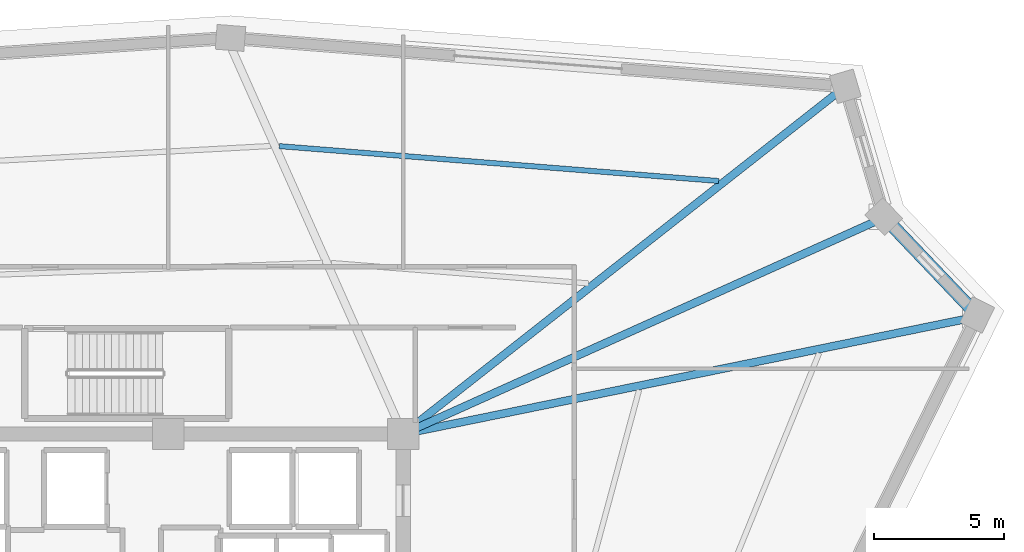
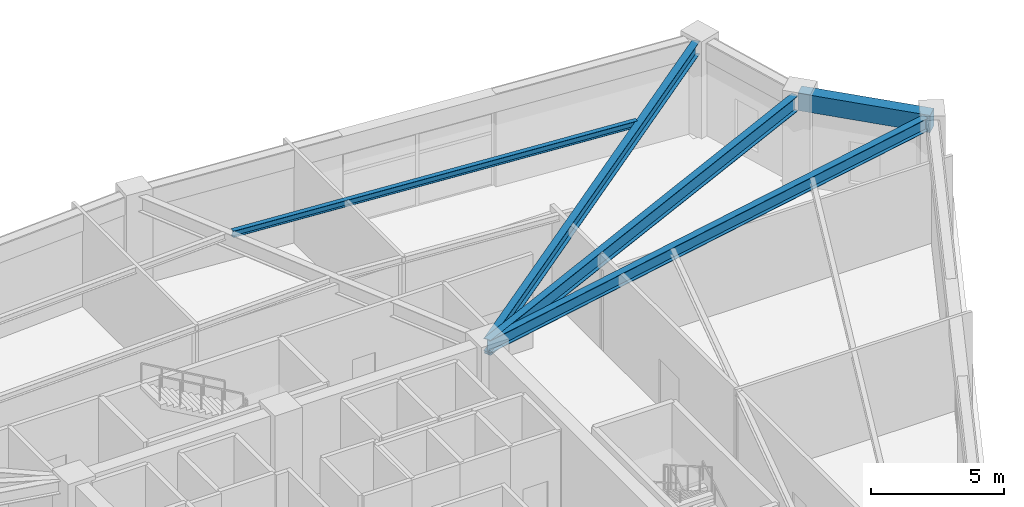
# One storey, part 23 of 35: 5 beams.
"""IFC4 building model written with IfcOpenShell, lengths in metres."""

from ifc_helpers import new_model, si_unit, direction, frame, origin, origin_2d, place, context, subcontext, project, spatial, rectangle, i_section, extrude, source, transform, mapped, material, material_profile, profile_set, type_object, element, save


model = new_model("IFC4")

# Units and contexts
model_context = context("Model", 3, precision=1e-05, world=origin(), true_north=direction((0.0, 1.0)))
body_context = subcontext(model_context, "Body", "Model", "MODEL_VIEW")
ifc_project = project(units=[si_unit("LENGTHUNIT", "METRE"), si_unit("AREAUNIT", "SQUARE_METRE"), si_unit("VOLUMEUNIT", "CUBIC_METRE"), si_unit("PLANEANGLEUNIT", "RADIAN"), si_unit("MASSUNIT", "GRAM", prefix="KILO")], contexts=[model_context])

# Site, building, storey
site_placement = place(None, origin())
site = spatial("IfcSite", under=ifc_project, at=site_placement, CompositionType="ELEMENT")
building_placement = place(site_placement, origin())
building = spatial("IfcBuilding", under=site, at=building_placement, Name="Liaohun Quay Tower", CompositionType="ELEMENT")
storey_placement = place(building_placement, frame((0.0, 0.0, 282.0)))
storey = spatial("IfcBuildingStorey", under=building, at=storey_placement, Name="L73", CompositionType="ELEMENT", Elevation=282.0)

# Beams
ifc_material_1 = material(Name="Precast concrete C50", Category="concrete")
ifc_material_profile_1 = material_profile(ifc_material_1, rectangle(XDim=0.5, YDim=0.800048828125, at=origin_2d()), Name="RC500x800")
ifc_profile_set_1 = profile_set([ifc_material_profile_1], Name="Precast concrete C50")
beam_type_1 = type_object("IfcBeamType", Name="BM-SPD-Z4", PredefinedType="SPANDREL", material=ifc_profile_set_1)
shared_shape_1 = source(origin(), body_context, "Body", "SweptSolid", [
    extrude(rectangle(XDim=0.5, YDim=0.800048828125, at=origin_2d()), origin(), (0.0, 0.0, 1.0), 5.197998046875),
])
beam_1_placement = place(storey_placement, frame((87.4150390625, 69.827880859375, 3.919921875), z_axis=(0.689298558438, -0.724477396014, 0.0), x_axis=(0.724477396014, 0.689298558438, 0.0)))
element("IfcBeam", 1, at=beam_1_placement, inside=storey, type_object=beam_type_1, Name="L73 Precast Spandrel Beam PC08-PC09", PredefinedType="SPANDREL", context=body_context, shape_type="MappedRepresentation", body=[
    mapped(shared_shape_1, transform((0.0, 0.0, 0.0), x_axis=(1.0, 0.0, 0.0), y_axis=(0.0, 1.0, 0.0), z_axis=(0.0, 0.0, 1.0), scale=1.0)),
])
ifc_material_2 = material(Name="Steel Q355D", Category="steel")
ifc_material_profile_2 = material_profile(ifc_material_2, i_section(OverallWidth=0.300048828125, OverallDepth=0.699951171875, WebThickness=0.012939453125, FlangeThickness=0.02392578125, at=origin_2d()), Name="HN700x300x13x24")
ifc_profile_set_2 = profile_set([ifc_material_profile_2], Name="Steel Q355D")
beam_type_2 = type_object("IfcBeamType", Name="BM-RAD-U1", PredefinedType="BEAM", material=ifc_profile_set_2)
shared_shape_2 = source(origin(), body_context, "Body", "SweptSolid", [
    extrude(i_section(OverallWidth=0.300048828125, OverallDepth=0.699951171875, WebThickness=0.012939453125, FlangeThickness=0.02392578125, at=origin_2d()), origin(), (0.0, 0.0, 1.0), 19.843994140625),
])
beam_2_placement = place(storey_placement, frame((69.0, 61.5, 3.969970703125), z_axis=(0.911905160232, 0.410400997491, 0.0), x_axis=(-0.410400997491, 0.911905160232, 0.0)))
element("IfcBeam", 2, at=beam_2_placement, inside=storey, type_object=beam_type_2, Name="L73 Radial Primary Girder CC4-PC08", PredefinedType="BEAM", context=body_context, shape_type="MappedRepresentation", body=[
    mapped(shared_shape_2, transform((0.0, 0.0, 0.0), x_axis=(1.0, 0.0, 0.0), y_axis=(0.0, 1.0, 0.0), z_axis=(0.0, 0.0, 1.0), scale=1.0)),
])
ifc_material_profile_3 = material_profile(ifc_material_2, i_section(OverallWidth=0.300048828125, OverallDepth=0.587890625, WebThickness=0.011962890625, FlangeThickness=0.02001953125, at=origin_2d()), Name="HM588x300x12x20")
ifc_profile_set_3 = profile_set([ifc_material_profile_3], Name="Steel Q355D")
beam_type_3 = type_object("IfcBeamType", Name="BM-RAD-U2", PredefinedType="BEAM", material=ifc_profile_set_3)
shared_shape_3 = source(origin(), body_context, "Body", "SweptSolid", [
    extrude(i_section(OverallWidth=0.300048828125, OverallDepth=0.587890625, WebThickness=0.011962890625, FlangeThickness=0.02001953125, at=origin_2d()), origin(), (0.0, 0.0, 1.0), 21.1650390625),
])
beam_3_placement = place(storey_placement, frame((69.0, 61.5, 4.02587890625), z_axis=(0.786255892403, 0.617901020926, 0.0), x_axis=(-0.617901020926, 0.786255892403, 0.0)))
element("IfcBeam", 3, at=beam_3_placement, inside=storey, type_object=beam_type_3, Name="L73 Radial Primary Girder CC4-PC07", PredefinedType="BEAM", context=body_context, shape_type="MappedRepresentation", body=[
    mapped(shared_shape_3, transform((0.0, 0.0, 0.0), x_axis=(1.0, 0.0, 0.0), y_axis=(0.0, 1.0, 0.0), z_axis=(0.0, 0.0, 1.0), scale=1.0)),
])
shared_shape_4 = source(origin(), body_context, "Body", "SweptSolid", [
    extrude(i_section(OverallWidth=0.300048828125, OverallDepth=0.587890625, WebThickness=0.011962890625, FlangeThickness=0.02001953125, at=origin_2d()), origin(), (0.0, 0.0, 1.0), 22.08447265625),
])
beam_4_placement = place(storey_placement, frame((69.0, 61.5, 4.02587890625), z_axis=(0.979738454823, 0.200281202663, 0.0), x_axis=(-0.200281202663, 0.979738454823, 0.0)))
element("IfcBeam", 4, at=beam_4_placement, inside=storey, type_object=beam_type_3, Name="L73 Radial Primary Girder CC4-PC09", PredefinedType="BEAM", context=body_context, shape_type="MappedRepresentation", body=[
    mapped(shared_shape_4, transform((0.0, 0.0, 0.0), x_axis=(1.0, 0.0, 0.0), y_axis=(0.0, 1.0, 0.0), z_axis=(0.0, 0.0, 1.0), scale=1.0)),
])
ifc_material_profile_4 = material_profile(ifc_material_2, i_section(OverallWidth=0.199951171875, OverallDepth=0.2939453125, WebThickness=0.008056640625, FlangeThickness=0.011962890625, at=origin_2d()), Name="HM294x200x8x12")
ifc_profile_set_4 = profile_set([ifc_material_profile_4], Name="Steel Q355D")
beam_type_4 = type_object("IfcBeamType", Name="BM-SEC-J4", PredefinedType="JOIST", material=ifc_profile_set_4)
shared_shape_5 = source(origin(), body_context, "Body", "SweptSolid", [
    extrude(i_section(OverallWidth=0.199951171875, OverallDepth=0.2939453125, WebThickness=0.008056640625, FlangeThickness=0.011962890625, at=origin_2d()), origin(), (0.0, 0.0, 1.0), 16.889892578125),
])
beam_5_placement = place(storey_placement, frame((64.257080078125, 72.531982421875, 4.173095703125), z_axis=(0.996862351768, -0.079154605856, 0.0), x_axis=(0.079154605856, 0.996862351768, 0.0)))
element("IfcBeam", 5, at=beam_5_placement, inside=storey, type_object=beam_type_4, Name="L73 Wing Secondary Floor Joist SJ-09", PredefinedType="JOIST", context=body_context, shape_type="MappedRepresentation", body=[
    mapped(shared_shape_5, transform((0.0, 0.0, 0.0), x_axis=(1.0, 0.0, 0.0), y_axis=(0.0, 1.0, 0.0), z_axis=(0.0, 0.0, 1.0), scale=1.0)),
])

save(model, "model.ifc")
